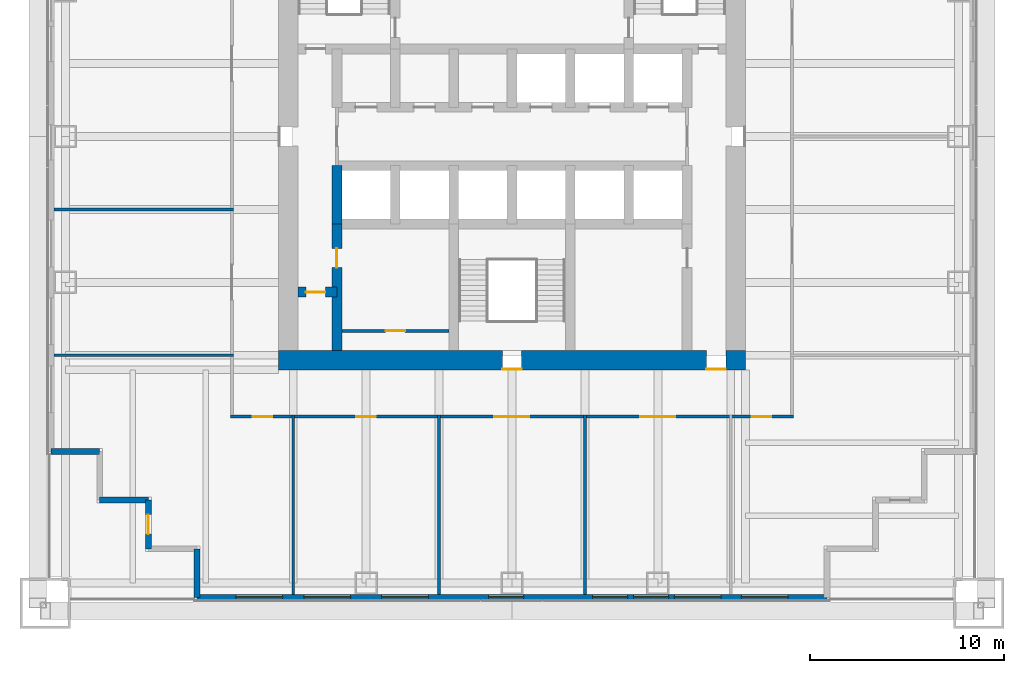
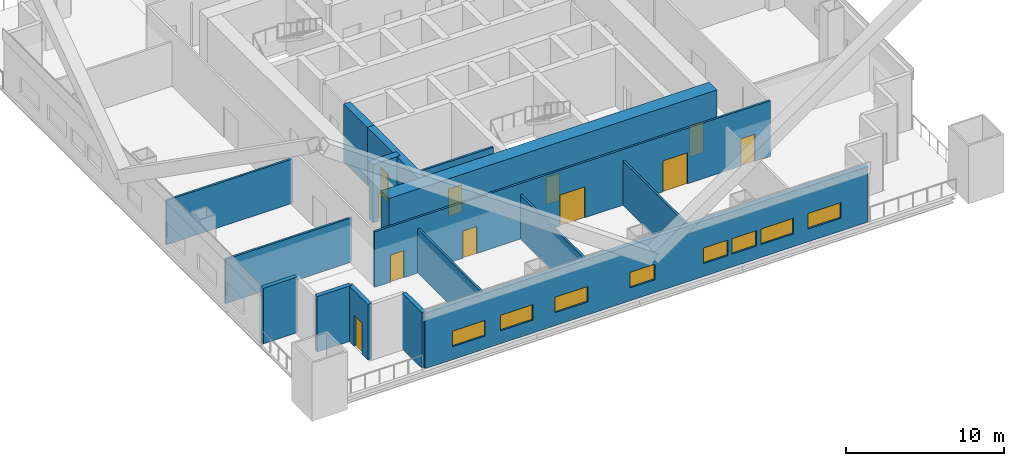
# One storey, part 2 of 7: 16 walls, 11 doors, 8 windows, 19 openings.
"""IFC4 building model written with IfcOpenShell, lengths in metres."""

from ifc_helpers import new_model, si_unit, direction, frame, frame_2d, origin, place, context, subcontext, project, spatial, rectangle, extrude, material, layer, layer_set, type_object, element, fill, save


model = new_model("IFC4")

# Units and contexts
model_context = context("Model", 3, precision=1e-05, world=origin(), true_north=direction((0.0, 1.0)))
body_context = subcontext(model_context, "Body", "Model", "MODEL_VIEW")
ifc_project = project(units=[si_unit("LENGTHUNIT", "METRE"), si_unit("AREAUNIT", "SQUARE_METRE"), si_unit("VOLUMEUNIT", "CUBIC_METRE"), si_unit("PLANEANGLEUNIT", "RADIAN"), si_unit("MASSUNIT", "GRAM", prefix="KILO")], contexts=[model_context])

# Site, building, storey
site_placement = place(None, origin())
site = spatial("IfcSite", under=ifc_project, at=site_placement, CompositionType="ELEMENT")
building_placement = place(site_placement, origin())
building = spatial("IfcBuilding", under=site, at=building_placement, Name="Tarangal Relay Tower", CompositionType="ELEMENT")
storey_placement = place(building_placement, frame((0.0, 0.0, 117.89990234375)))
storey = spatial("IfcBuildingStorey", under=building, at=storey_placement, Name="L23", CompositionType="ELEMENT", Elevation=117.89990234375)

# Wall, opening, door
ifc_material_1 = material(Name="Concrete fc' 60 MPa", Category="concrete")
ifc_layer_1 = layer(ifc_material_1, 0.5)
ifc_layer_set_1 = layer_set([ifc_layer_1], Name="Core inner wall 500")
wall_type_1 = type_object("IfcWallType", Name="Core inner wall 500", PredefinedType="SHEAR", material=ifc_layer_set_1)
wall_1_placement = place(storey_placement, frame((-11.0, -8.0, 0.0), z_axis=(0.0, 0.0, 1.0), x_axis=(1.0, 0.0, 0.0)))
wall_1 = element("IfcWall", 1, at=wall_1_placement, inside=storey, type_object=wall_type_1, Name="Core wall YM8 L23", PredefinedType="SHEAR", context=body_context, shape_type="SweptSolid", body=[
    extrude(rectangle(XDim=2.0, YDim=0.5, at=frame_2d((1.0, 0.0))), origin(), (0.0, 0.0, 1.0), 4.5),
])
opening_1_placement = place(wall_1_placement, frame((0.39990234375, 0.0, 0.0)))
opening_1 = element("IfcOpeningElement", 2, at=opening_1_placement, cuts=wall_1, Name="Opening D1", PredefinedType="OPENING", context=body_context, shape_type="SweptSolid", body=[
    extrude(rectangle(XDim=1.0, YDim=2.10009765625, at=frame_2d((0.5, 1.050048828125))), frame((0.0, 0.260009765625, 0.0), z_axis=(0.0, -1.0, 0.0), x_axis=(1.0, 0.0, 0.0)), (0.0, 0.0, 1.0), 0.52001953125),
])
ifc_material_2 = material(Name="Hardwood door", Category="wood")
door_type_1 = type_object("IfcDoorType", Name="WC door 1000 x 2100", OperationType="SINGLE_SWING_LEFT", PredefinedType="DOOR", material=ifc_material_2)
door_1_placement = place(opening_1_placement, origin())
door_1 = element("IfcDoor", 3, at=door_1_placement, inside=storey, type_object=door_type_1, Name="Accessible WC door L23", OperationType="SINGLE_SWING_LEFT", OverallHeight=2.10009765625, OverallWidth=1.0, PredefinedType="DOOR", context=body_context, shape_type="SweptSolid", body=[
    extrude(rectangle(XDim=1.0, YDim=2.10009765625, at=frame_2d((0.5, 1.050048828125))), frame((0.0, 0.02490234375, 0.0), z_axis=(0.0, -1.0, 0.0), x_axis=(1.0, 0.0, 0.0)), (0.0, 0.0, 1.0), 0.050048828125),
])
fill(opening_1, door_1)

# Wall
wall_2_placement = place(storey_placement, frame((-9.0, -4.5, 0.0), z_axis=(0.0, 0.0, 1.0), x_axis=(0.0, 1.0, 0.0)))
element("IfcWall", 4, at=wall_2_placement, inside=storey, type_object=wall_type_1, Name="Core wall XM9S L23", PredefinedType="SHEAR", context=body_context, shape_type="SweptSolid", body=[
    extrude(rectangle(XDim=3.0, YDim=0.5, at=frame_2d((1.5, 0.0))), origin(), (0.0, 0.0, 1.0), 4.5),
])

# Wall, opening, door
wall_3_placement = place(storey_placement, frame((-9.0, -11.0, 0.0), z_axis=(0.0, 0.0, 1.0), x_axis=(0.0, 1.0, 0.0)))
wall_3 = element("IfcWall", 5, at=wall_3_placement, inside=storey, type_object=wall_type_1, Name="Core wall XM9W L23", PredefinedType="SHEAR", context=body_context, shape_type="SweptSolid", body=[
    extrude(rectangle(XDim=6.5, YDim=0.5, at=frame_2d((3.25, 0.0))), origin(), (0.0, 0.0, 1.0), 4.5),
])
opening_2_placement = place(wall_3_placement, frame((4.25, 0.0, 0.0)))
opening_2 = element("IfcOpeningElement", 6, at=opening_2_placement, cuts=wall_3, Name="Opening D1", PredefinedType="OPENING", context=body_context, shape_type="SweptSolid", body=[
    extrude(rectangle(XDim=1.0, YDim=2.10009765625, at=frame_2d((0.5, 1.050048828125))), frame((0.0, 0.260009765625, 0.0), z_axis=(0.0, -1.0, 0.0), x_axis=(1.0, 0.0, 0.0)), (0.0, 0.0, 1.0), 0.52001953125),
])
door_2_placement = place(opening_2_placement, origin())
door_2 = element("IfcDoor", 7, at=door_2_placement, inside=storey, type_object=door_type_1, Name="Male WC door L23", OperationType="SINGLE_SWING_LEFT", OverallHeight=2.10009765625, OverallWidth=1.0, PredefinedType="DOOR", context=body_context, shape_type="SweptSolid", body=[
    extrude(rectangle(XDim=1.0, YDim=2.10009765625, at=frame_2d((0.5, 1.050048828125))), frame((0.0, 0.02490234375, 0.0), z_axis=(0.0, -1.0, 0.0), x_axis=(1.0, 0.0, 0.0)), (0.0, 0.0, 1.0), 0.050048828125),
])
fill(opening_2, door_2)

# Wall, openings, doors
ifc_layer_2 = layer(ifc_material_1, 1.0)
ifc_layer_set_2 = layer_set([ifc_layer_2], Name="Core wall 1000")
wall_type_2 = type_object("IfcWallType", Name="Core wall 1000", PredefinedType="SHEAR", material=ifc_layer_set_2)
wall_4_placement = place(storey_placement, frame((12.0, -11.5, 0.0), z_axis=(0.0, 0.0, 1.0), x_axis=(-1.0, 0.0, 0.0)))
wall_4 = element("IfcWall", 8, at=wall_4_placement, inside=storey, type_object=wall_type_2, Name="Core wall S L23", PredefinedType="SHEAR", context=body_context, shape_type="SweptSolid", body=[
    extrude(rectangle(XDim=24.0, YDim=1.0, at=frame_2d((12.0, 0.0))), origin(), (0.0, 0.0, 1.0), 4.5),
])
opening_3_placement = place(wall_4_placement, frame((11.5, 0.0, 0.0)))
opening_3 = element("IfcOpeningElement", 9, at=opening_3_placement, cuts=wall_4, Name="Opening FD1", PredefinedType="OPENING", context=body_context, shape_type="SweptSolid", body=[
    extrude(rectangle(XDim=1.0, YDim=2.10009765625, at=frame_2d((0.5, 1.050048828125))), frame((0.0, 0.510009765625, 0.0), z_axis=(0.0, -1.0, 0.0), x_axis=(1.0, 0.0, 0.0)), (0.0, 0.0, 1.0), 1.02001953125),
])
opening_4_placement = place(wall_4_placement, frame((1.0, 0.0, 0.0)))
opening_4 = element("IfcOpeningElement", 10, at=opening_4_placement, cuts=wall_4, Name="Opening FD3", PredefinedType="OPENING", context=body_context, shape_type="SweptSolid", body=[
    extrude(rectangle(XDim=1.0, YDim=2.39990234375, at=frame_2d((0.5, 1.199951171875))), frame((0.0, 0.510009765625, 0.0), z_axis=(0.0, -1.0, 0.0), x_axis=(1.0, 0.0, 0.0)), (0.0, 0.0, 1.0), 1.02001953125),
])
ifc_material_3 = material(Name="Steel door with hardwood frame", Category="steel")
door_type_2 = type_object("IfcDoorType", Name="Fire door 1000 x 2100", OperationType="SINGLE_SWING_LEFT", PredefinedType="DOOR", material=ifc_material_3)
door_3_placement = place(opening_3_placement, origin())
door_3 = element("IfcDoor", 11, at=door_3_placement, inside=storey, type_object=door_type_2, Name="Stair ST-C door L23", OperationType="SINGLE_SWING_LEFT", OverallHeight=2.10009765625, OverallWidth=1.0, PredefinedType="DOOR", context=body_context, shape_type="SweptSolid", body=[
    extrude(rectangle(XDim=1.0, YDim=2.10009765625, at=frame_2d((0.5, 1.050048828125))), frame((0.0, 0.48486328125, 0.0), z_axis=(0.0, -1.0, 0.0), x_axis=(1.0, 0.0, 0.0)), (0.0, 0.0, 1.0), 0.050048828125),
])
fill(opening_3, door_3)
door_type_3 = type_object("IfcDoorType", Name="Fire door 1000 x 2400 core entry", OperationType="SINGLE_SWING_RIGHT", PredefinedType="DOOR", material=ifc_material_3)
door_4_placement = place(opening_4_placement, origin())
door_4 = element("IfcDoor", 12, at=door_4_placement, inside=storey, type_object=door_type_3, Name="Core entry door south east L23", OperationType="SINGLE_SWING_RIGHT", OverallHeight=2.39990234375, OverallWidth=1.0, PredefinedType="DOOR", context=body_context, shape_type="SweptSolid", body=[
    extrude(rectangle(XDim=1.0, YDim=2.39990234375, at=frame_2d((0.5, 1.199951171875))), frame((0.0, 0.48486328125, 0.0), z_axis=(0.0, -1.0, 0.0), x_axis=(1.0, 0.0, 0.0)), (0.0, 0.0, 1.0), 0.050048828125),
])
fill(opening_4, door_4)

# Wall, openings, windows
ifc_material_4 = material(Name="Insulated precast concrete fc' 40 MPa", Category="concrete")
ifc_layer_3 = layer(ifc_material_4, 0.300048828125)
ifc_layer_set_3 = layer_set([ifc_layer_3], Name="Insulated precast concrete fc' 40 MPa")
wall_type_3 = type_object("IfcWallType", Name="Facade wall precast 300", PredefinedType="SOLIDWALL", material=ifc_layer_set_3)
wall_5_placement = place(storey_placement, frame((16.199951171875, -23.699951171875, 0.0), z_axis=(0.0, 0.0, 1.0), x_axis=(-1.0, 0.0, 0.0)))
wall_5 = element("IfcWall", 13, at=wall_5_placement, inside=storey, type_object=wall_type_3, Name="Facade wall S facade L23", PredefinedType="SOLIDWALL", context=body_context, shape_type="SweptSolid", body=[
    extrude(rectangle(XDim=32.39990234375, YDim=0.300048828125, at=frame_2d((16.199951171875, 0.0))), origin(), (0.0, 0.0, 1.0), 4.300048828125),
])
opening_5_placement = place(wall_5_placement, frame((2.0, 0.0, 1.0)))
opening_5 = element("IfcOpeningElement", 14, at=opening_5_placement, cuts=wall_5, Name="Opening WN1", PredefinedType="OPENING", context=body_context, shape_type="SweptSolid", body=[
    extrude(rectangle(XDim=2.39990234375, YDim=1.199951171875, at=frame_2d((1.199951171875, 0.60009765625))), frame((0.0, 0.159912109375, 0.0), z_axis=(0.0, -1.0, 0.0), x_axis=(1.0, 0.0, 0.0)), (0.0, 0.0, 1.0), 0.320068359375),
])
opening_6_placement = place(wall_5_placement, frame((5.449951171875, 0.0, 1.0)))
opening_6 = element("IfcOpeningElement", 15, at=opening_6_placement, cuts=wall_5, Name="Opening WN1", PredefinedType="OPENING", context=body_context, shape_type="SweptSolid", body=[
    extrude(rectangle(XDim=2.39990234375, YDim=1.199951171875, at=frame_2d((1.199951171875, 0.60009765625))), frame((0.0, 0.159912109375, 0.0), z_axis=(0.0, -1.0, 0.0), x_axis=(1.0, 0.0, 0.0)), (0.0, 0.0, 1.0), 0.320068359375),
])
opening_7_placement = place(wall_5_placement, frame((8.14990234375, 0.0, 1.0)))
opening_7 = element("IfcOpeningElement", 16, at=opening_7_placement, cuts=wall_5, Name="Opening WN5", PredefinedType="OPENING", context=body_context, shape_type="SweptSolid", body=[
    extrude(rectangle(XDim=1.800048828125, YDim=1.199951171875, at=frame_2d((0.89990234375, 0.60009765625))), frame((0.0, 0.159912109375, 0.0), z_axis=(0.0, -1.0, 0.0), x_axis=(1.0, 0.0, 0.0)), (0.0, 0.0, 1.0), 0.320068359375),
])
opening_8_placement = place(wall_5_placement, frame((10.25, 0.0, 1.0)))
opening_8 = element("IfcOpeningElement", 17, at=opening_8_placement, cuts=wall_5, Name="Opening WN5", PredefinedType="OPENING", context=body_context, shape_type="SweptSolid", body=[
    extrude(rectangle(XDim=1.800048828125, YDim=1.199951171875, at=frame_2d((0.89990234375, 0.60009765625))), frame((0.0, 0.159912109375, 0.0), z_axis=(0.0, -1.0, 0.0), x_axis=(1.0, 0.0, 0.0)), (0.0, 0.0, 1.0), 0.320068359375),
])
opening_9_placement = place(wall_5_placement, frame((15.60009765625, 0.0, 1.0)))
opening_9 = element("IfcOpeningElement", 18, at=opening_9_placement, cuts=wall_5, Name="Opening WN5", PredefinedType="OPENING", context=body_context, shape_type="SweptSolid", body=[
    extrude(rectangle(XDim=1.800048828125, YDim=1.199951171875, at=frame_2d((0.89990234375, 0.60009765625))), frame((0.0, 0.159912109375, 0.0), z_axis=(0.0, -1.0, 0.0), x_axis=(1.0, 0.0, 0.0)), (0.0, 0.0, 1.0), 0.320068359375),
])
opening_10_placement = place(wall_5_placement, frame((20.5, 0.0, 1.0)))
opening_10 = element("IfcOpeningElement", 19, at=opening_10_placement, cuts=wall_5, Name="Opening WN1", PredefinedType="OPENING", context=body_context, shape_type="SweptSolid", body=[
    extrude(rectangle(XDim=2.39990234375, YDim=1.199951171875, at=frame_2d((1.199951171875, 0.60009765625))), frame((0.0, 0.159912109375, 0.0), z_axis=(0.0, -1.0, 0.0), x_axis=(1.0, 0.0, 0.0)), (0.0, 0.0, 1.0), 0.320068359375),
])
opening_11_placement = place(wall_5_placement, frame((24.5, 0.0, 1.0)))
opening_11 = element("IfcOpeningElement", 20, at=opening_11_placement, cuts=wall_5, Name="Opening WN1", PredefinedType="OPENING", context=body_context, shape_type="SweptSolid", body=[
    extrude(rectangle(XDim=2.39990234375, YDim=1.199951171875, at=frame_2d((1.199951171875, 0.60009765625))), frame((0.0, 0.159912109375, 0.0), z_axis=(0.0, -1.0, 0.0), x_axis=(1.0, 0.0, 0.0)), (0.0, 0.0, 1.0), 0.320068359375),
])
opening_12_placement = place(wall_5_placement, frame((28.0, 0.0, 1.0)))
opening_12 = element("IfcOpeningElement", 21, at=opening_12_placement, cuts=wall_5, Name="Opening WN1", PredefinedType="OPENING", context=body_context, shape_type="SweptSolid", body=[
    extrude(rectangle(XDim=2.39990234375, YDim=1.199951171875, at=frame_2d((1.199951171875, 0.60009765625))), frame((0.0, 0.159912109375, 0.0), z_axis=(0.0, -1.0, 0.0), x_axis=(1.0, 0.0, 0.0)), (0.0, 0.0, 1.0), 0.320068359375),
])
ifc_material_5 = material(Name="Dark tinted double glazing in black aluminium frame", Category="aluminium")
window_type_1 = type_object("IfcWindowType", Name="Ribbon window 1800 x 1200", PartitioningType="SINGLE_PANEL", PredefinedType="WINDOW", material=ifc_material_5)
window_1_placement = place(opening_7_placement, origin())
window_1 = element("IfcWindow", 22, at=window_1_placement, inside=storey, type_object=window_type_1, Name="Ribbon window WN5 S facade L23", OverallHeight=1.199951171875, OverallWidth=1.800048828125, PartitioningType="SINGLE_PANEL", PredefinedType="WINDOW", context=body_context, shape_type="SweptSolid", body=[
    extrude(rectangle(XDim=1.800048828125, YDim=1.199951171875, at=frame_2d((0.89990234375, 0.60009765625))), frame((0.0, 0.030029296875, 0.0), z_axis=(0.0, -1.0, 0.0), x_axis=(1.0, 0.0, 0.0)), (0.0, 0.0, 1.0), 0.06005859375),
])
fill(opening_7, window_1)
window_2_placement = place(opening_8_placement, origin())
window_2 = element("IfcWindow", 23, at=window_2_placement, inside=storey, type_object=window_type_1, Name="Ribbon window WN5 S facade L23", OverallHeight=1.199951171875, OverallWidth=1.800048828125, PartitioningType="SINGLE_PANEL", PredefinedType="WINDOW", context=body_context, shape_type="SweptSolid", body=[
    extrude(rectangle(XDim=1.800048828125, YDim=1.199951171875, at=frame_2d((0.89990234375, 0.60009765625))), frame((0.0, 0.030029296875, 0.0), z_axis=(0.0, -1.0, 0.0), x_axis=(1.0, 0.0, 0.0)), (0.0, 0.0, 1.0), 0.06005859375),
])
fill(opening_8, window_2)
window_3_placement = place(opening_9_placement, origin())
window_3 = element("IfcWindow", 24, at=window_3_placement, inside=storey, type_object=window_type_1, Name="Ribbon window WN5 S facade L23", OverallHeight=1.199951171875, OverallWidth=1.800048828125, PartitioningType="SINGLE_PANEL", PredefinedType="WINDOW", context=body_context, shape_type="SweptSolid", body=[
    extrude(rectangle(XDim=1.800048828125, YDim=1.199951171875, at=frame_2d((0.89990234375, 0.60009765625))), frame((0.0, 0.030029296875, 0.0), z_axis=(0.0, -1.0, 0.0), x_axis=(1.0, 0.0, 0.0)), (0.0, 0.0, 1.0), 0.06005859375),
])
fill(opening_9, window_3)
window_type_2 = type_object("IfcWindowType", Name="Ribbon window 2400 x 1200", PartitioningType="SINGLE_PANEL", PredefinedType="WINDOW", material=ifc_material_5)
window_4_placement = place(opening_5_placement, origin())
window_4 = element("IfcWindow", 25, at=window_4_placement, inside=storey, type_object=window_type_2, Name="Ribbon window WN1 S facade L23", OverallHeight=1.199951171875, OverallWidth=2.39990234375, PartitioningType="SINGLE_PANEL", PredefinedType="WINDOW", context=body_context, shape_type="SweptSolid", body=[
    extrude(rectangle(XDim=2.39990234375, YDim=1.199951171875, at=frame_2d((1.199951171875, 0.60009765625))), frame((0.0, 0.030029296875, 0.0), z_axis=(0.0, -1.0, 0.0), x_axis=(1.0, 0.0, 0.0)), (0.0, 0.0, 1.0), 0.06005859375),
])
fill(opening_5, window_4)
window_5_placement = place(opening_6_placement, origin())
window_5 = element("IfcWindow", 26, at=window_5_placement, inside=storey, type_object=window_type_2, Name="Ribbon window WN1 S facade L23", OverallHeight=1.199951171875, OverallWidth=2.39990234375, PartitioningType="SINGLE_PANEL", PredefinedType="WINDOW", context=body_context, shape_type="SweptSolid", body=[
    extrude(rectangle(XDim=2.39990234375, YDim=1.199951171875, at=frame_2d((1.199951171875, 0.60009765625))), frame((0.0, 0.030029296875, 0.0), z_axis=(0.0, -1.0, 0.0), x_axis=(1.0, 0.0, 0.0)), (0.0, 0.0, 1.0), 0.06005859375),
])
fill(opening_6, window_5)
window_6_placement = place(opening_10_placement, origin())
window_6 = element("IfcWindow", 27, at=window_6_placement, inside=storey, type_object=window_type_2, Name="Ribbon window WN1 S facade L23", OverallHeight=1.199951171875, OverallWidth=2.39990234375, PartitioningType="SINGLE_PANEL", PredefinedType="WINDOW", context=body_context, shape_type="SweptSolid", body=[
    extrude(rectangle(XDim=2.39990234375, YDim=1.199951171875, at=frame_2d((1.199951171875, 0.60009765625))), frame((0.0, 0.030029296875, 0.0), z_axis=(0.0, -1.0, 0.0), x_axis=(1.0, 0.0, 0.0)), (0.0, 0.0, 1.0), 0.06005859375),
])
fill(opening_10, window_6)
window_7_placement = place(opening_11_placement, origin())
window_7 = element("IfcWindow", 28, at=window_7_placement, inside=storey, type_object=window_type_2, Name="Ribbon window WN1 S facade L23", OverallHeight=1.199951171875, OverallWidth=2.39990234375, PartitioningType="SINGLE_PANEL", PredefinedType="WINDOW", context=body_context, shape_type="SweptSolid", body=[
    extrude(rectangle(XDim=2.39990234375, YDim=1.199951171875, at=frame_2d((1.199951171875, 0.60009765625))), frame((0.0, 0.030029296875, 0.0), z_axis=(0.0, -1.0, 0.0), x_axis=(1.0, 0.0, 0.0)), (0.0, 0.0, 1.0), 0.06005859375),
])
fill(opening_11, window_7)
window_8_placement = place(opening_12_placement, origin())
window_8 = element("IfcWindow", 29, at=window_8_placement, inside=storey, type_object=window_type_2, Name="Ribbon window WN1 S facade L23", OverallHeight=1.199951171875, OverallWidth=2.39990234375, PartitioningType="SINGLE_PANEL", PredefinedType="WINDOW", context=body_context, shape_type="SweptSolid", body=[
    extrude(rectangle(XDim=2.39990234375, YDim=1.199951171875, at=frame_2d((1.199951171875, 0.60009765625))), frame((0.0, 0.030029296875, 0.0), z_axis=(0.0, -1.0, 0.0), x_axis=(1.0, 0.0, 0.0)), (0.0, 0.0, 1.0), 0.06005859375),
])
fill(opening_12, window_8)

# Wall
wall_6_placement = place(storey_placement, frame((-16.199951171875, -23.699951171875, 0.0), z_axis=(0.0, 0.0, 1.0), x_axis=(0.0, 1.0, 0.0)))
element("IfcWall", 30, at=wall_6_placement, inside=storey, type_object=wall_type_3, Name="Facade wall S facade L23", PredefinedType="SOLIDWALL", context=body_context, shape_type="SweptSolid", body=[
    extrude(rectangle(XDim=2.5, YDim=0.300048828125, at=frame_2d((1.25, 0.0))), origin(), (0.0, 0.0, 1.0), 4.300048828125),
])

# Wall, opening, door
wall_7_placement = place(storey_placement, frame((-18.699951171875, -21.199951171875, 0.0), z_axis=(0.0, 0.0, 1.0), x_axis=(0.0, 1.0, 0.0)))
wall_7 = element("IfcWall", 31, at=wall_7_placement, inside=storey, type_object=wall_type_3, Name="Facade wall S facade L23", PredefinedType="SOLIDWALL", context=body_context, shape_type="SweptSolid", body=[
    extrude(rectangle(XDim=2.5, YDim=0.300048828125, at=frame_2d((1.25, 0.0))), origin(), (0.0, 0.0, 1.0), 4.300048828125),
])
opening_13_placement = place(wall_7_placement, frame((0.75, 0.0, 0.0)))
opening_13 = element("IfcOpeningElement", 32, at=opening_13_placement, cuts=wall_7, Name="Opening TD1", PredefinedType="OPENING", context=body_context, shape_type="SweptSolid", body=[
    extrude(rectangle(XDim=1.0, YDim=2.39990234375, at=frame_2d((0.5, 1.199951171875))), frame((0.0, 0.159912109375, 0.0), z_axis=(0.0, -1.0, 0.0), x_axis=(1.0, 0.0, 0.0)), (0.0, 0.0, 1.0), 0.320068359375),
])
ifc_material_6 = material(Name="Aluminium glazed door", Category="aluminium")
door_type_4 = type_object("IfcDoorType", Name="Terrace door 1000 x 2400", OperationType="SINGLE_SWING_RIGHT", PredefinedType="DOOR", material=ifc_material_6)
door_5_placement = place(opening_13_placement, origin())
door_5 = element("IfcDoor", 33, at=door_5_placement, inside=storey, type_object=door_type_4, Name="Terrace door TD1 SW L23", OperationType="SINGLE_SWING_RIGHT", OverallHeight=2.39990234375, OverallWidth=1.0, PredefinedType="DOOR", context=body_context, shape_type="SweptSolid", body=[
    extrude(rectangle(XDim=1.0, YDim=2.39990234375, at=frame_2d((0.5, 1.199951171875))), frame((0.0, 0.02490234375, 0.0), z_axis=(0.0, -1.0, 0.0), x_axis=(1.0, 0.0, 0.0)), (0.0, 0.0, 1.0), 0.050048828125),
])
fill(opening_13, door_5)

# Walls
for number, where, z_axis, x_axis, name in (
    (34, (-18.699951171875, -18.699951171875, 0.0), (0.0, 0.0, 1.0), (-1.0, 0.0, 0.0), "Facade wall S facade L23"),
    (35, (-21.199951171875, -16.199951171875, 0.0), (0.0, 0.0, 1.0), (-1.0, 0.0, 0.0), "Facade wall S facade L23"),
):
    element("IfcWall", number, at=place(storey_placement, frame(where, z_axis=z_axis, x_axis=x_axis)), inside=storey, type_object=wall_type_3, Name=name, PredefinedType="SOLIDWALL", context=body_context, shape_type="SweptSolid", body=[
        extrude(rectangle(XDim=2.5, YDim=0.300048828125, at=frame_2d((1.25, 0.0))), origin(), (0.0, 0.0, 1.0), 4.300048828125),
    ])

# Wall, openings, doors
ifc_material_7 = material(Name="Gypsum board on steel studs", Category="steel")
ifc_layer_4 = layer(ifc_material_7, 0.14990234375)
ifc_layer_set_4 = layer_set([ifc_layer_4], Name="Partition 150")
wall_type_4 = type_object("IfcWallType", Name="Partition 150", PredefinedType="PARTITIONING", material=ifc_layer_set_4)
wall_8_placement = place(storey_placement, frame((-14.47509765625, -14.39990234375, 0.0), z_axis=(0.0, 0.0, 1.0), x_axis=(1.0, 0.0, 0.0)))
wall_8 = element("IfcWall", 36, at=wall_8_placement, inside=storey, type_object=wall_type_4, Name="Partition PT1 L23", PredefinedType="PARTITIONING", context=body_context, shape_type="SweptSolid", body=[
    extrude(rectangle(XDim=28.9501953125, YDim=0.14990234375, at=frame_2d((14.47509765625, 0.0))), origin(), (0.0, 0.0, 1.0), 4.300048828125),
])
opening_14_placement = place(wall_8_placement, frame((21.074951171875, 0.0, 0.0)))
opening_14 = element("IfcOpeningElement", 37, at=opening_14_placement, cuts=wall_8, Name="Opening DD1", PredefinedType="OPENING", context=body_context, shape_type="SweptSolid", body=[
    extrude(rectangle(XDim=1.800048828125, YDim=2.39990234375, at=frame_2d((0.89990234375, 1.199951171875))), frame((0.0, 0.0849609375, 0.0), z_axis=(0.0, -1.0, 0.0), x_axis=(1.0, 0.0, 0.0)), (0.0, 0.0, 1.0), 0.169921875),
])
opening_15_placement = place(wall_8_placement, frame((13.574951171875, 0.0, 0.0)))
opening_15 = element("IfcOpeningElement", 38, at=opening_15_placement, cuts=wall_8, Name="Opening DD1", PredefinedType="OPENING", context=body_context, shape_type="SweptSolid", body=[
    extrude(rectangle(XDim=1.800048828125, YDim=2.39990234375, at=frame_2d((0.89990234375, 1.199951171875))), frame((0.0, 0.0849609375, 0.0), z_axis=(0.0, -1.0, 0.0), x_axis=(1.0, 0.0, 0.0)), (0.0, 0.0, 1.0), 0.169921875),
])
opening_16_placement = place(wall_8_placement, frame((6.47509765625, 0.0, 0.0)))
opening_16 = element("IfcOpeningElement", 39, at=opening_16_placement, cuts=wall_8, Name="Opening D2", PredefinedType="OPENING", context=body_context, shape_type="SweptSolid", body=[
    extrude(rectangle(XDim=1.0, YDim=2.10009765625, at=frame_2d((0.5, 1.050048828125))), frame((0.0, 0.0849609375, 0.0), z_axis=(0.0, -1.0, 0.0), x_axis=(1.0, 0.0, 0.0)), (0.0, 0.0, 1.0), 0.169921875),
])
opening_17_placement = place(wall_8_placement, frame((26.800048828125, 0.0, 0.0)))
opening_17 = element("IfcOpeningElement", 40, at=opening_17_placement, cuts=wall_8, Name="Opening D2", PredefinedType="OPENING", context=body_context, shape_type="SweptSolid", body=[
    extrude(rectangle(XDim=1.0, YDim=2.10009765625, at=frame_2d((0.5, 1.050048828125))), frame((0.0, 0.0849609375, 0.0), z_axis=(0.0, -1.0, 0.0), x_axis=(1.0, 0.0, 0.0)), (0.0, 0.0, 1.0), 0.169921875),
])
opening_18_placement = place(wall_8_placement, frame((1.14990234375, 0.0, 0.0)))
opening_18 = element("IfcOpeningElement", 41, at=opening_18_placement, cuts=wall_8, Name="Opening D2", PredefinedType="OPENING", context=body_context, shape_type="SweptSolid", body=[
    extrude(rectangle(XDim=1.0, YDim=2.10009765625, at=frame_2d((0.5, 1.050048828125))), frame((0.0, 0.0849609375, 0.0), z_axis=(0.0, -1.0, 0.0), x_axis=(1.0, 0.0, 0.0)), (0.0, 0.0, 1.0), 0.169921875),
])
door_type_5 = type_object("IfcDoorType", Name="Door 1000 x 2100", OperationType="SINGLE_SWING_LEFT", PredefinedType="DOOR", material=ifc_material_2)
door_6_placement = place(opening_16_placement, origin())
door_6 = element("IfcDoor", 42, at=door_6_placement, inside=storey, type_object=door_type_5, Name="Door D2 to carrier staff office L23-10", OperationType="SINGLE_SWING_LEFT", OverallHeight=2.10009765625, OverallWidth=1.0, PredefinedType="DOOR", context=body_context, shape_type="SweptSolid", body=[
    extrude(rectangle(XDim=1.0, YDim=2.10009765625, at=frame_2d((0.5, 1.050048828125))), frame((0.0, 0.02490234375, 0.0), z_axis=(0.0, -1.0, 0.0), x_axis=(1.0, 0.0, 0.0)), (0.0, 0.0, 1.0), 0.050048828125),
])
fill(opening_16, door_6)
door_7_placement = place(opening_17_placement, origin())
door_7 = element("IfcDoor", 43, at=door_7_placement, inside=storey, type_object=door_type_5, Name="Door D2 to test lab L23-14", OperationType="SINGLE_SWING_LEFT", OverallHeight=2.10009765625, OverallWidth=1.0, PredefinedType="DOOR", context=body_context, shape_type="SweptSolid", body=[
    extrude(rectangle(XDim=1.0, YDim=2.10009765625, at=frame_2d((0.5, 1.050048828125))), frame((0.0, 0.02490234375, 0.0), z_axis=(0.0, -1.0, 0.0), x_axis=(1.0, 0.0, 0.0)), (0.0, 0.0, 1.0), 0.050048828125),
])
fill(opening_17, door_7)
door_8_placement = place(opening_18_placement, origin())
door_8 = element("IfcDoor", 44, at=door_8_placement, inside=storey, type_object=door_type_5, Name="Door D2 to maintenance workshop L23-15", OperationType="SINGLE_SWING_LEFT", OverallHeight=2.10009765625, OverallWidth=1.0, PredefinedType="DOOR", context=body_context, shape_type="SweptSolid", body=[
    extrude(rectangle(XDim=1.0, YDim=2.10009765625, at=frame_2d((0.5, 1.050048828125))), frame((0.0, 0.02490234375, 0.0), z_axis=(0.0, -1.0, 0.0), x_axis=(1.0, 0.0, 0.0)), (0.0, 0.0, 1.0), 0.050048828125),
])
fill(opening_18, door_8)
door_type_6 = type_object("IfcDoorType", Name="Equipment double door 1800 x 2400", OperationType="DOUBLE_DOOR_SINGLE_SWING", PredefinedType="DOOR", material=ifc_material_3)
door_9_placement = place(opening_14_placement, origin())
door_9 = element("IfcDoor", 45, at=door_9_placement, inside=storey, type_object=door_type_6, Name="Door DD1 to rectifier and battery room L23-08", OperationType="DOUBLE_DOOR_SINGLE_SWING", OverallHeight=2.39990234375, OverallWidth=1.800048828125, PredefinedType="DOOR", context=body_context, shape_type="SweptSolid", body=[
    extrude(rectangle(XDim=1.800048828125, YDim=2.39990234375, at=frame_2d((0.89990234375, 1.199951171875))), frame((0.0, 0.02490234375, 0.0), z_axis=(0.0, -1.0, 0.0), x_axis=(1.0, 0.0, 0.0)), (0.0, 0.0, 1.0), 0.050048828125),
])
fill(opening_14, door_9)
door_10_placement = place(opening_15_placement, origin())
door_10 = element("IfcDoor", 46, at=door_10_placement, inside=storey, type_object=door_type_6, Name="Door DD1 to electrical room L23-09", OperationType="DOUBLE_DOOR_SINGLE_SWING", OverallHeight=2.39990234375, OverallWidth=1.800048828125, PredefinedType="DOOR", context=body_context, shape_type="SweptSolid", body=[
    extrude(rectangle(XDim=1.800048828125, YDim=2.39990234375, at=frame_2d((0.89990234375, 1.199951171875))), frame((0.0, 0.02490234375, 0.0), z_axis=(0.0, -1.0, 0.0), x_axis=(1.0, 0.0, 0.0)), (0.0, 0.0, 1.0), 0.050048828125),
])
fill(opening_15, door_10)

# Walls
for number, where, z_axis, x_axis, name in (
    (47, (-23.550048828125, -11.25, 0.0), (0.0, 0.0, 1.0), (1.0, 0.0, 0.0), "Partition PT1 L23"),
    (48, (-23.550048828125, -3.75, 0.0), (0.0, 0.0, 1.0), (1.0, 0.0, 0.0), "Partition PT1 L23"),
    (49, (-11.25, -23.550048828125, 0.0), (0.0, 0.0, 1.0), (0.0, 1.0, 0.0), "Partition PT1 L23"),
    (50, (-3.75, -23.550048828125, 0.0), (0.0, 0.0, 1.0), (0.0, 1.0, 0.0), "Partition PT1 L23"),
    (51, (3.75, -23.550048828125, 0.0), (0.0, 0.0, 1.0), (0.0, 1.0, 0.0), "Partition PT1 L23"),
):
    element("IfcWall", number, at=place(storey_placement, frame(where, z_axis=z_axis, x_axis=x_axis)), inside=storey, type_object=wall_type_4, Name=name, PredefinedType="PARTITIONING", context=body_context, shape_type="SweptSolid", body=[
        extrude(rectangle(XDim=9.22509765625, YDim=0.14990234375, at=frame_2d((4.612548828125, 0.0))), origin(), (0.0, 0.0, 1.0), 3.431396484375),
    ])

# Wall, opening, door
wall_9_placement = place(storey_placement, frame((-8.75, -10.0, 0.0), z_axis=(0.0, 0.0, 1.0), x_axis=(1.0, 0.0, 0.0)))
wall_9 = element("IfcWall", 52, at=wall_9_placement, inside=storey, type_object=wall_type_4, Name="Partition PT1 L23", PredefinedType="PARTITIONING", context=body_context, shape_type="SweptSolid", body=[
    extrude(rectangle(XDim=5.5, YDim=0.14990234375, at=frame_2d((2.75, 0.0))), origin(), (0.0, 0.0, 1.0), 4.25),
])
opening_19_placement = place(wall_9_placement, frame((2.25, 0.0, 0.0)))
opening_19 = element("IfcOpeningElement", 53, at=opening_19_placement, cuts=wall_9, Name="Opening D1", PredefinedType="OPENING", context=body_context, shape_type="SweptSolid", body=[
    extrude(rectangle(XDim=1.0, YDim=2.10009765625, at=frame_2d((0.5, 1.050048828125))), frame((0.0, 0.0849609375, 0.0), z_axis=(0.0, -1.0, 0.0), x_axis=(1.0, 0.0, 0.0)), (0.0, 0.0, 1.0), 0.169921875),
])
door_11_placement = place(opening_19_placement, origin())
door_11 = element("IfcDoor", 54, at=door_11_placement, inside=storey, type_object=door_type_1, Name="Door D1 to male shower room L23-C7B", OperationType="SINGLE_SWING_LEFT", OverallHeight=2.10009765625, OverallWidth=1.0, PredefinedType="DOOR", context=body_context, shape_type="SweptSolid", body=[
    extrude(rectangle(XDim=1.0, YDim=2.10009765625, at=frame_2d((0.5, 1.050048828125))), frame((0.0, 0.02490234375, 0.0), z_axis=(0.0, -1.0, 0.0), x_axis=(1.0, 0.0, 0.0)), (0.0, 0.0, 1.0), 0.050048828125),
])
fill(opening_19, door_11)

save(model, "model.ifc")
